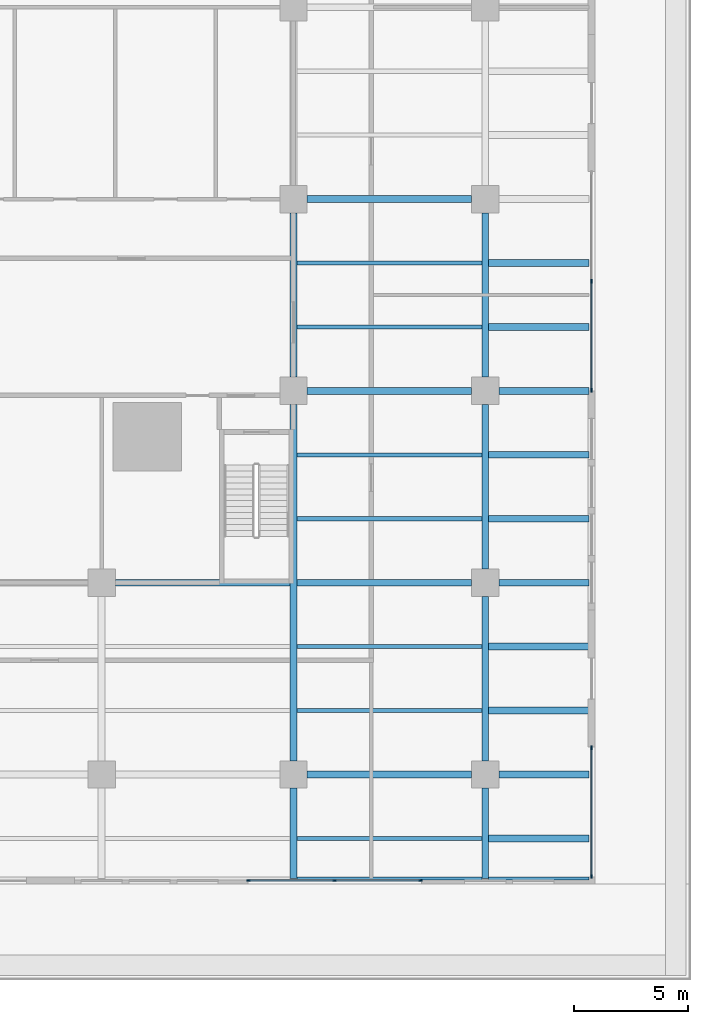
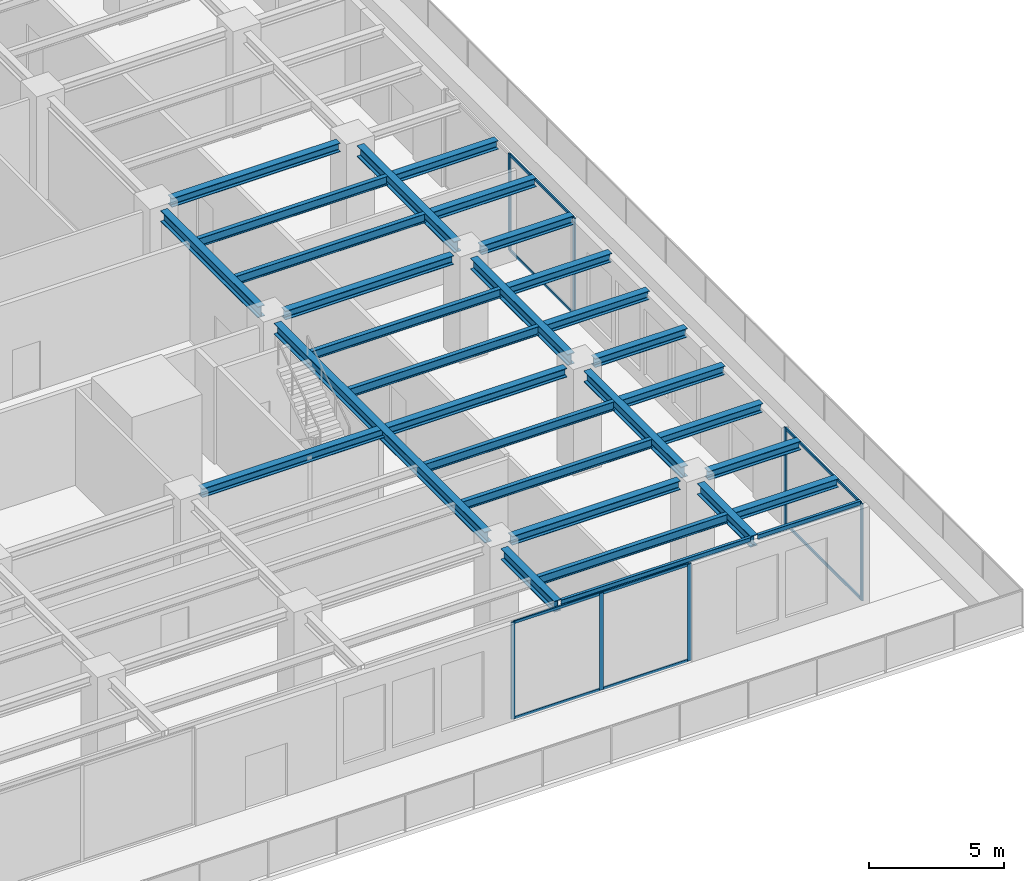
# One storey, part 7 of 32: 30 beams, 15 members, 3 elements without a shape of their own.
"""IFC4 building model written with IfcOpenShell, lengths in metres."""

from ifc_helpers import new_model, si_unit, direction, frame, origin, origin_2d, place, context, subcontext, project, spatial, rectangle, i_section, extrude, material, material_profile, profile_set, type_object, element, aggregate, save


model = new_model("IFC4")

# Units and contexts
model_context = context("Model", 3, precision=1e-05, world=origin(), true_north=direction((0.0, 1.0)))
body_context = subcontext(model_context, "Body", "Model", "MODEL_VIEW")
ifc_project = project(units=[si_unit("LENGTHUNIT", "METRE"), si_unit("AREAUNIT", "SQUARE_METRE"), si_unit("VOLUMEUNIT", "CUBIC_METRE"), si_unit("PLANEANGLEUNIT", "RADIAN"), si_unit("MASSUNIT", "GRAM", prefix="KILO")], contexts=[model_context])

# Site, building, storey
site_placement = place(None, origin())
site = spatial("IfcSite", under=ifc_project, at=site_placement, CompositionType="ELEMENT")
building_placement = place(site_placement, origin())
building = spatial("IfcBuilding", under=site, at=building_placement, Name="Khepri Terraces", CompositionType="ELEMENT")
storey_placement = place(building_placement, frame((0.0, 0.0, 12.0)))
storey = spatial("IfcBuildingStorey", under=building, at=storey_placement, Name="L02", CompositionType="ELEMENT", Elevation=12.0)

# Curtain wall, members
ifc_material_1 = material(Name="Anodised aluminium bronze curtain wall", Category="aluminium")
curtain_wall_type = type_object("IfcCurtainWallType", Name="CW-SYS2-PODIUM", PredefinedType="NOTDEFINED", material=ifc_material_1)
curtain_wall_1_placement = place(storey_placement, origin())
curtain_wall_1 = element("IfcCurtainWall", 1, at=curtain_wall_1_placement, inside=storey, type_object=curtain_wall_type, Name="Curtain wall CW2 L02 S", PredefinedType="NOTDEFINED")
ifc_material_2 = material(Name="Anodised aluminium bronze", Category="aluminium")
ifc_material_profile_1 = material_profile(ifc_material_2, rectangle(XDim=0.06005859375, YDim=0.159912109375, at=origin_2d()), Name="Anodised aluminium bronze", Category="aluminium")
ifc_profile_set_1 = profile_set([ifc_material_profile_1], Name="Anodised aluminium bronze")
member_type_1 = type_object("IfcMemberType", Name="CW-MULLION-60x160", PredefinedType="MULLION", material=ifc_profile_set_1)
member_1_placement = place(storey_placement, frame((23.22998046875, -38.25, 0.0), z_axis=(0.0, 0.0, 1.0), x_axis=(0.0, 1.0, 0.0)))
member_1 = element("IfcMember", 2, at=member_1_placement, type_object=member_type_1, Name="CW2 mullion 1", PredefinedType="MULLION", context=body_context, shape_type="SweptSolid", body=[
    extrude(rectangle(XDim=0.06005859375, YDim=0.159912109375, at=origin_2d()), origin(), (0.0, 0.0, 1.0), 4.3798828125),
])
member_2_placement = place(storey_placement, frame((27.0, -38.25, 0.0), z_axis=(0.0, 0.0, 1.0), x_axis=(0.0, 1.0, 0.0)))
member_2 = element("IfcMember", 3, at=member_2_placement, type_object=member_type_1, Name="CW2 mullion 2", PredefinedType="MULLION", context=body_context, shape_type="SweptSolid", body=[
    extrude(rectangle(XDim=0.06005859375, YDim=0.159912109375, at=origin_2d()), origin(), (0.0, 0.0, 1.0), 4.3798828125),
])
member_3_placement = place(storey_placement, frame((30.77001953125, -38.25, 0.0), z_axis=(0.0, 0.0, 1.0), x_axis=(0.0, 1.0, 0.0)))
member_3 = element("IfcMember", 4, at=member_3_placement, type_object=member_type_1, Name="CW2 mullion 3", PredefinedType="MULLION", context=body_context, shape_type="SweptSolid", body=[
    extrude(rectangle(XDim=0.06005859375, YDim=0.159912109375, at=origin_2d()), origin(), (0.0, 0.0, 1.0), 4.3798828125),
])

curtain_wall_2_placement = place(storey_placement, origin())
curtain_wall_2 = element("IfcCurtainWall", 5, at=curtain_wall_2_placement, inside=storey, type_object=curtain_wall_type, Name="Curtain wall CW2 L02 E", PredefinedType="NOTDEFINED")
member_4_placement = place(storey_placement, frame((38.25, -38.070068359375, 0.0), z_axis=(0.0, 0.0, 1.0), x_axis=(-1.0, 0.0, 0.0)))
member_4 = element("IfcMember", 6, at=member_4_placement, type_object=member_type_1, Name="CW2 mullion 1", PredefinedType="MULLION", context=body_context, shape_type="SweptSolid", body=[
    extrude(rectangle(XDim=0.06005859375, YDim=0.159912109375, at=origin_2d()), origin(), (0.0, 0.0, 1.0), 4.3798828125),
])
member_5_placement = place(storey_placement, frame((38.25, -32.429931640625, 0.0), z_axis=(0.0, 0.0, 1.0), x_axis=(-1.0, 0.0, 0.0)))
member_5 = element("IfcMember", 7, at=member_5_placement, type_object=member_type_1, Name="CW2 mullion 2", PredefinedType="MULLION", context=body_context, shape_type="SweptSolid", body=[
    extrude(rectangle(XDim=0.06005859375, YDim=0.159912109375, at=origin_2d()), origin(), (0.0, 0.0, 1.0), 4.3798828125),
])

curtain_wall_3_placement = place(storey_placement, origin())
curtain_wall_3 = element("IfcCurtainWall", 8, at=curtain_wall_3_placement, inside=storey, type_object=curtain_wall_type, Name="Curtain wall CW2 L02 E", PredefinedType="NOTDEFINED")
member_6_placement = place(storey_placement, frame((38.25, -16.77001953125, 0.0), z_axis=(0.0, 0.0, 1.0), x_axis=(-1.0, 0.0, 0.0)))
member_6 = element("IfcMember", 9, at=member_6_placement, type_object=member_type_1, Name="CW2 mullion 1", PredefinedType="MULLION", context=body_context, shape_type="SweptSolid", body=[
    extrude(rectangle(XDim=0.06005859375, YDim=0.159912109375, at=origin_2d()), origin(), (0.0, 0.0, 1.0), 4.3798828125),
])
member_7_placement = place(storey_placement, frame((38.25, -12.0, 0.0), z_axis=(0.0, 0.0, 1.0), x_axis=(-1.0, 0.0, 0.0)))
member_7 = element("IfcMember", 10, at=member_7_placement, type_object=member_type_1, Name="CW2 mullion 2", PredefinedType="MULLION", context=body_context, shape_type="SweptSolid", body=[
    extrude(rectangle(XDim=0.06005859375, YDim=0.159912109375, at=origin_2d()), origin(), (0.0, 0.0, 1.0), 4.3798828125),
])

# Member
ifc_material_profile_2 = material_profile(ifc_material_2, rectangle(XDim=0.06005859375, YDim=0.1201171875, at=origin_2d()), Name="Anodised aluminium bronze", Category="aluminium")
ifc_profile_set_2 = profile_set([ifc_material_profile_2], Name="Anodised aluminium bronze")
member_type_2 = type_object("IfcMemberType", Name="CW-TRANSOM-60x120", PredefinedType="USERDEFINED", material=ifc_profile_set_2)
member_8_placement = place(storey_placement, frame((23.260009765625, -38.25, 0.030029296875), z_axis=(1.0, 0.0, 0.0), x_axis=(0.0, 1.0, 0.0)))
member_8 = element("IfcMember", 11, at=member_8_placement, type_object=member_type_2, Name="CW2 transom 1.1", ObjectType="TRANSOM", PredefinedType="USERDEFINED", context=body_context, shape_type="SweptSolid", body=[
    extrude(rectangle(XDim=0.06005859375, YDim=0.1201171875, at=origin_2d()), origin(), (0.0, 0.0, 1.0), 3.7099609375),
])

member_9_placement = place(storey_placement, frame((23.260009765625, -38.25, 4.35009765625), z_axis=(1.0, 0.0, 0.0), x_axis=(0.0, 1.0, 0.0)))
member_9 = element("IfcMember", 12, at=member_9_placement, type_object=member_type_2, Name="CW2 transom 1.2", ObjectType="TRANSOM", PredefinedType="USERDEFINED", context=body_context, shape_type="SweptSolid", body=[
    extrude(rectangle(XDim=0.06005859375, YDim=0.1201171875, at=origin_2d()), origin(), (0.0, 0.0, 1.0), 3.7099609375),
])

member_10_placement = place(storey_placement, frame((27.030029296875, -38.25, 0.030029296875), z_axis=(1.0, 0.0, 0.0), x_axis=(0.0, 1.0, 0.0)))
member_10 = element("IfcMember", 13, at=member_10_placement, type_object=member_type_2, Name="CW2 transom 2.1", ObjectType="TRANSOM", PredefinedType="USERDEFINED", context=body_context, shape_type="SweptSolid", body=[
    extrude(rectangle(XDim=0.06005859375, YDim=0.1201171875, at=origin_2d()), origin(), (0.0, 0.0, 1.0), 3.7099609375),
])

member_11_placement = place(storey_placement, frame((27.030029296875, -38.25, 4.35009765625), z_axis=(1.0, 0.0, 0.0), x_axis=(0.0, 1.0, 0.0)))
member_11 = element("IfcMember", 14, at=member_11_placement, type_object=member_type_2, Name="CW2 transom 2.2", ObjectType="TRANSOM", PredefinedType="USERDEFINED", context=body_context, shape_type="SweptSolid", body=[
    extrude(rectangle(XDim=0.06005859375, YDim=0.1201171875, at=origin_2d()), origin(), (0.0, 0.0, 1.0), 3.7099609375),
])

aggregate(curtain_wall_1, [member_1, member_2, member_3, member_8, member_9, member_10, member_11])

member_12_placement = place(storey_placement, frame((38.25, -38.0400390625, 0.030029296875), z_axis=(0.0, 1.0, 0.0), x_axis=(-1.0, 0.0, 0.0)))
member_12 = element("IfcMember", 15, at=member_12_placement, type_object=member_type_2, Name="CW2 transom 1.1", ObjectType="TRANSOM", PredefinedType="USERDEFINED", context=body_context, shape_type="SweptSolid", body=[
    extrude(rectangle(XDim=0.06005859375, YDim=0.1201171875, at=origin_2d()), origin(), (0.0, 0.0, 1.0), 5.580078125),
])

member_13_placement = place(storey_placement, frame((38.25, -38.0400390625, 4.35009765625), z_axis=(0.0, 1.0, 0.0), x_axis=(-1.0, 0.0, 0.0)))
member_13 = element("IfcMember", 16, at=member_13_placement, type_object=member_type_2, Name="CW2 transom 1.2", ObjectType="TRANSOM", PredefinedType="USERDEFINED", context=body_context, shape_type="SweptSolid", body=[
    extrude(rectangle(XDim=0.06005859375, YDim=0.1201171875, at=origin_2d()), origin(), (0.0, 0.0, 1.0), 5.580078125),
])

aggregate(curtain_wall_2, [member_4, member_5, member_12, member_13])

member_14_placement = place(storey_placement, frame((38.25, -16.739990234375, 0.030029296875), z_axis=(0.0, 1.0, 0.0), x_axis=(-1.0, 0.0, 0.0)))
member_14 = element("IfcMember", 17, at=member_14_placement, type_object=member_type_2, Name="CW2 transom 1.1", ObjectType="TRANSOM", PredefinedType="USERDEFINED", context=body_context, shape_type="SweptSolid", body=[
    extrude(rectangle(XDim=0.06005859375, YDim=0.1201171875, at=origin_2d()), origin(), (0.0, 0.0, 1.0), 4.7099609375),
])

member_15_placement = place(storey_placement, frame((38.25, -16.739990234375, 4.35009765625), z_axis=(0.0, 1.0, 0.0), x_axis=(-1.0, 0.0, 0.0)))
member_15 = element("IfcMember", 18, at=member_15_placement, type_object=member_type_2, Name="CW2 transom 1.2", ObjectType="TRANSOM", PredefinedType="USERDEFINED", context=body_context, shape_type="SweptSolid", body=[
    extrude(rectangle(XDim=0.06005859375, YDim=0.1201171875, at=origin_2d()), origin(), (0.0, 0.0, 1.0), 4.7099609375),
])

aggregate(curtain_wall_3, [member_6, member_7, member_14, member_15])

# Beams
ifc_material_3 = material(Name="Steel S355", Category="steel")
ifc_material_profile_3 = material_profile(ifc_material_3, i_section(OverallWidth=0.1201171875, OverallDepth=0.239990234375, WebThickness=0.006103515625, FlangeThickness=0.009765625, FilletRadius=0.014892578125, at=origin_2d()), Name="Steel S355", Category="steel")
ifc_profile_set_3 = profile_set([ifc_material_profile_3], Name="Steel S355")
beam_type_1 = type_object("IfcBeamType", Name="Podium cantilever edge beam L03 IPE 240", PredefinedType="SPANDREL", material=ifc_profile_set_3)
beam_1_placement = place(storey_placement, frame((33.75, -38.14990234375, 4.47998046875), z_axis=(1.0, 0.0, 0.0), x_axis=(0.0, 1.0, 0.0)))
element("IfcBeam", 19, at=beam_1_placement, inside=storey, type_object=beam_type_1, Name="Podium edge beam L03 010", PredefinedType="SPANDREL", context=body_context, shape_type="SweptSolid", body=[
    extrude(i_section(OverallWidth=0.1201171875, OverallDepth=0.239990234375, WebThickness=0.006103515625, FlangeThickness=0.009765625, FilletRadius=0.014892578125, at=origin_2d()), origin(), (0.0, 0.0, 1.0), 4.39990234375),
])
ifc_material_profile_4 = material_profile(ifc_material_3, i_section(OverallWidth=0.300048828125, OverallDepth=0.5, WebThickness=0.014404296875, FlangeThickness=0.028076171875, FilletRadius=0.027099609375, at=origin_2d()), Name="Steel S355", Category="steel")
ifc_profile_set_4 = profile_set([ifc_material_profile_4], Name="Steel S355")
beam_type_2 = type_object("IfcBeamType", Name="Podium cantilever girder L03 HEB 500", PredefinedType="BEAM", material=ifc_profile_set_4)
for number, where, z_axis, x_axis, name in (
    (20, (25.199951171875, -38.14990234375, 4.35009765625), (0.0, 1.0, 0.0), (-1.0, 0.0, 0.0), "Podium girder L03 039"),
    (21, (33.60009765625, -38.14990234375, 4.35009765625), (0.0, 1.0, 0.0), (-1.0, 0.0, 0.0), "Podium girder L03 047"),
):
    element("IfcBeam", number, at=place(storey_placement, frame(where, z_axis=z_axis, x_axis=x_axis)), inside=storey, type_object=beam_type_2, Name=name, PredefinedType="BEAM", context=body_context, shape_type="SweptSolid", body=[
        extrude(i_section(OverallWidth=0.300048828125, OverallDepth=0.5, WebThickness=0.014404296875, FlangeThickness=0.028076171875, FilletRadius=0.027099609375, at=origin_2d()), origin(), (0.0, 0.0, 1.0), 3.949951171875),
    ])
ifc_material_profile_5 = material_profile(ifc_material_3, i_section(OverallWidth=0.300048828125, OverallDepth=0.389892578125, WebThickness=0.010986328125, FlangeThickness=0.01904296875, FilletRadius=0.027099609375, at=origin_2d()), Name="Steel S355", Category="steel")
ifc_profile_set_5 = profile_set([ifc_material_profile_5], Name="Steel S355")
beam_type_3 = type_object("IfcBeamType", Name="Podium cantilever joist L03 HEA 400", PredefinedType="JOIST", material=ifc_profile_set_5)
for number, where, z_axis, x_axis, name in (
    (22, (33.75, -36.39990234375, 4.405029296875), (1.0, 0.0, 0.0), (0.0, 1.0, 0.0), "Podium cantilever joist L03 010"),
    (23, (33.75, -30.800048828125, 4.405029296875), (1.0, 0.0, 0.0), (0.0, 1.0, 0.0), "Podium cantilever joist L03 030"),
    (24, (33.75, -28.0, 4.405029296875), (1.0, 0.0, 0.0), (0.0, 1.0, 0.0), "Podium cantilever joist L03 040"),
    (25, (33.75, -22.39990234375, 4.405029296875), (1.0, 0.0, 0.0), (0.0, 1.0, 0.0), "Podium cantilever joist L03 052"),
    (26, (33.75, -19.60009765625, 4.405029296875), (1.0, 0.0, 0.0), (0.0, 1.0, 0.0), "Podium cantilever joist L03 056"),
    (27, (33.75, -14.0, 4.405029296875), (1.0, 0.0, 0.0), (0.0, 1.0, 0.0), "Podium cantilever joist L03 064"),
    (28, (33.75, -11.199951171875, 4.405029296875), (1.0, 0.0, 0.0), (0.0, 1.0, 0.0), "Podium cantilever joist L03 068"),
):
    element("IfcBeam", number, at=place(storey_placement, frame(where, z_axis=z_axis, x_axis=x_axis)), inside=storey, type_object=beam_type_3, Name=name, PredefinedType="JOIST", context=body_context, shape_type="SweptSolid", body=[
        extrude(i_section(OverallWidth=0.300048828125, OverallDepth=0.389892578125, WebThickness=0.010986328125, FlangeThickness=0.01904296875, FilletRadius=0.027099609375, at=origin_2d()), origin(), (0.0, 0.0, 1.0), 4.39990234375),
    ])
ifc_material_profile_6 = material_profile(ifc_material_3, i_section(OverallWidth=0.1201171875, OverallDepth=0.239990234375, WebThickness=0.006103515625, FlangeThickness=0.009765625, FilletRadius=0.014892578125, at=origin_2d()), Name="Steel S355", Category="steel")
ifc_profile_set_6 = profile_set([ifc_material_profile_6], Name="Steel S355")
beam_type_4 = type_object("IfcBeamType", Name="Podium edge beam L03 IPE 240", PredefinedType="SPANDREL", material=ifc_profile_set_6)
beam_2_placement = place(storey_placement, frame((25.35009765625, -38.14990234375, 4.47998046875), z_axis=(1.0, 0.0, 0.0), x_axis=(0.0, 1.0, 0.0)))
element("IfcBeam", 29, at=beam_2_placement, inside=storey, type_object=beam_type_4, Name="Podium edge beam L03 009", PredefinedType="SPANDREL", context=body_context, shape_type="SweptSolid", body=[
    extrude(i_section(OverallWidth=0.1201171875, OverallDepth=0.239990234375, WebThickness=0.006103515625, FlangeThickness=0.009765625, FilletRadius=0.014892578125, at=origin_2d()), origin(), (0.0, 0.0, 1.0), 8.099853515625),
])
ifc_material_profile_7 = material_profile(ifc_material_3, i_section(OverallWidth=0.300048828125, OverallDepth=0.5, WebThickness=0.014404296875, FlangeThickness=0.028076171875, FilletRadius=0.027099609375, at=origin_2d()), Name="Steel S355", Category="steel")
ifc_profile_set_7 = profile_set([ifc_material_profile_7], Name="Steel S355")
beam_type_5 = type_object("IfcBeamType", Name="Podium girder L03 HEB 500", PredefinedType="BEAM", material=ifc_profile_set_7)
beam_3_placement = place(storey_placement, frame((25.199951171875, -33.0, 4.35009765625), z_axis=(0.0, 1.0, 0.0), x_axis=(-1.0, 0.0, 0.0)))
element("IfcBeam", 30, at=beam_3_placement, inside=storey, type_object=beam_type_5, Name="Podium girder L03 040", PredefinedType="BEAM", context=body_context, shape_type="SweptSolid", body=[
    extrude(i_section(OverallWidth=0.300048828125, OverallDepth=0.5, WebThickness=0.014404296875, FlangeThickness=0.028076171875, FilletRadius=0.027099609375, at=origin_2d()), origin(), (0.0, 0.0, 1.0), 15.60009765625),
])
beam_4_placement = place(storey_placement, frame((33.60009765625, -33.0, 4.35009765625), z_axis=(0.0, 1.0, 0.0), x_axis=(-1.0, 0.0, 0.0)))
element("IfcBeam", 31, at=beam_4_placement, inside=storey, type_object=beam_type_5, Name="Podium girder L03 048", PredefinedType="BEAM", context=body_context, shape_type="SweptSolid", body=[
    extrude(i_section(OverallWidth=0.300048828125, OverallDepth=0.5, WebThickness=0.014404296875, FlangeThickness=0.028076171875, FilletRadius=0.027099609375, at=origin_2d()), origin(), (0.0, 0.0, 1.0), 7.199951171875),
])
beam_5_placement = place(storey_placement, frame((33.60009765625, -24.60009765625, 4.35009765625), z_axis=(0.0, 1.0, 0.0), x_axis=(-1.0, 0.0, 0.0)))
element("IfcBeam", 32, at=beam_5_placement, inside=storey, type_object=beam_type_5, Name="Podium girder L03 049", PredefinedType="BEAM", context=body_context, shape_type="SweptSolid", body=[
    extrude(i_section(OverallWidth=0.300048828125, OverallDepth=0.5, WebThickness=0.014404296875, FlangeThickness=0.028076171875, FilletRadius=0.027099609375, at=origin_2d()), origin(), (0.0, 0.0, 1.0), 7.2001953125),
])
beam_6_placement = place(storey_placement, frame((33.60009765625, -16.199951171875, 4.35009765625), z_axis=(0.0, 1.0, 0.0), x_axis=(-1.0, 0.0, 0.0)))
element("IfcBeam", 33, at=beam_6_placement, inside=storey, type_object=beam_type_5, Name="Podium girder L03 050", PredefinedType="BEAM", context=body_context, shape_type="SweptSolid", body=[
    extrude(i_section(OverallWidth=0.300048828125, OverallDepth=0.5, WebThickness=0.014404296875, FlangeThickness=0.028076171875, FilletRadius=0.027099609375, at=origin_2d()), origin(), (0.0, 0.0, 1.0), 7.199951171875),
])
ifc_material_profile_8 = material_profile(ifc_material_3, i_section(OverallWidth=0.300048828125, OverallDepth=0.39990234375, WebThickness=0.013427734375, FlangeThickness=0.02392578125, FilletRadius=0.027099609375, at=origin_2d()), Name="Steel S355", Category="steel")
ifc_profile_set_8 = profile_set([ifc_material_profile_8], Name="Steel S355")
beam_type_6 = type_object("IfcBeamType", Name="Podium girder L03 grid line HEB 400", PredefinedType="BEAM", material=ifc_profile_set_8)
beam_7_placement = place(storey_placement, frame((25.800048828125, -33.60009765625, 4.39990234375), z_axis=(1.0, 0.0, 0.0), x_axis=(0.0, 1.0, 0.0)))
element("IfcBeam", 34, at=beam_7_placement, inside=storey, type_object=beam_type_6, Name="Podium grid-line girder L03 019", PredefinedType="BEAM", context=body_context, shape_type="SweptSolid", body=[
    extrude(i_section(OverallWidth=0.300048828125, OverallDepth=0.39990234375, WebThickness=0.013427734375, FlangeThickness=0.02392578125, FilletRadius=0.027099609375, at=origin_2d()), origin(), (0.0, 0.0, 1.0), 7.199951171875),
])
beam_8_placement = place(storey_placement, frame((34.199951171875, -33.60009765625, 4.39990234375), z_axis=(1.0, 0.0, 0.0), x_axis=(0.0, 1.0, 0.0)))
element("IfcBeam", 35, at=beam_8_placement, inside=storey, type_object=beam_type_6, Name="Podium grid-line girder L03 020", PredefinedType="BEAM", context=body_context, shape_type="SweptSolid", body=[
    extrude(i_section(OverallWidth=0.300048828125, OverallDepth=0.39990234375, WebThickness=0.013427734375, FlangeThickness=0.02392578125, FilletRadius=0.027099609375, at=origin_2d()), origin(), (0.0, 0.0, 1.0), 3.949951171875),
])
beam_9_placement = place(storey_placement, frame((17.39990234375, -25.199951171875, 4.39990234375), z_axis=(1.0, 0.0, 0.0), x_axis=(0.0, 1.0, 0.0)))
element("IfcBeam", 36, at=beam_9_placement, inside=storey, type_object=beam_type_6, Name="Podium grid-line girder L03 047", PredefinedType="BEAM", context=body_context, shape_type="SweptSolid", body=[
    extrude(i_section(OverallWidth=0.300048828125, OverallDepth=0.39990234375, WebThickness=0.013427734375, FlangeThickness=0.02392578125, FilletRadius=0.027099609375, at=origin_2d()), origin(), (0.0, 0.0, 1.0), 15.60009765625),
])
beam_10_placement = place(storey_placement, frame((34.199951171875, -25.199951171875, 4.39990234375), z_axis=(1.0, 0.0, 0.0), x_axis=(0.0, 1.0, 0.0)))
element("IfcBeam", 37, at=beam_10_placement, inside=storey, type_object=beam_type_6, Name="Podium grid-line girder L03 048", PredefinedType="BEAM", context=body_context, shape_type="SweptSolid", body=[
    extrude(i_section(OverallWidth=0.300048828125, OverallDepth=0.39990234375, WebThickness=0.013427734375, FlangeThickness=0.02392578125, FilletRadius=0.027099609375, at=origin_2d()), origin(), (0.0, 0.0, 1.0), 3.949951171875),
])
beam_11_placement = place(storey_placement, frame((25.800048828125, -16.800048828125, 4.39990234375), z_axis=(1.0, 0.0, 0.0), x_axis=(0.0, 1.0, 0.0)))
element("IfcBeam", 38, at=beam_11_placement, inside=storey, type_object=beam_type_6, Name="Podium grid-line girder L03 059", PredefinedType="BEAM", context=body_context, shape_type="SweptSolid", body=[
    extrude(i_section(OverallWidth=0.300048828125, OverallDepth=0.39990234375, WebThickness=0.013427734375, FlangeThickness=0.02392578125, FilletRadius=0.027099609375, at=origin_2d()), origin(), (0.0, 0.0, 1.0), 7.199951171875),
])
beam_12_placement = place(storey_placement, frame((34.199951171875, -16.800048828125, 4.39990234375), z_axis=(1.0, 0.0, 0.0), x_axis=(0.0, 1.0, 0.0)))
element("IfcBeam", 39, at=beam_12_placement, inside=storey, type_object=beam_type_6, Name="Podium grid-line girder L03 060", PredefinedType="BEAM", context=body_context, shape_type="SweptSolid", body=[
    extrude(i_section(OverallWidth=0.300048828125, OverallDepth=0.39990234375, WebThickness=0.013427734375, FlangeThickness=0.02392578125, FilletRadius=0.027099609375, at=origin_2d()), origin(), (0.0, 0.0, 1.0), 3.949951171875),
])
beam_13_placement = place(storey_placement, frame((25.800048828125, -8.39990234375, 4.39990234375), z_axis=(1.0, 0.0, 0.0), x_axis=(0.0, 1.0, 0.0)))
element("IfcBeam", 40, at=beam_13_placement, inside=storey, type_object=beam_type_6, Name="Podium grid-line girder L03 071", PredefinedType="BEAM", context=body_context, shape_type="SweptSolid", body=[
    extrude(i_section(OverallWidth=0.300048828125, OverallDepth=0.39990234375, WebThickness=0.013427734375, FlangeThickness=0.02392578125, FilletRadius=0.027099609375, at=origin_2d()), origin(), (0.0, 0.0, 1.0), 7.199951171875),
])
ifc_material_profile_9 = material_profile(ifc_material_3, i_section(OverallWidth=0.179931640625, OverallDepth=0.39990234375, WebThickness=0.008544921875, FlangeThickness=0.013427734375, FilletRadius=0.02099609375, at=origin_2d()), Name="Steel S355", Category="steel")
ifc_profile_set_9 = profile_set([ifc_material_profile_9], Name="Steel S355")
beam_type_7 = type_object("IfcBeamType", Name="Podium joist L03 IPE 400", PredefinedType="JOIST", material=ifc_profile_set_9)
for number, where, z_axis, x_axis, name in (
    (41, (25.35009765625, -36.39990234375, 4.39990234375), (1.0, 0.0, 0.0), (0.0, 1.0, 0.0), "Podium joist L03 009"),
    (42, (25.35009765625, -30.800048828125, 4.39990234375), (1.0, 0.0, 0.0), (0.0, 1.0, 0.0), "Podium joist L03 029"),
    (43, (25.35009765625, -28.0, 4.39990234375), (1.0, 0.0, 0.0), (0.0, 1.0, 0.0), "Podium joist L03 039"),
    (44, (25.35009765625, -22.39990234375, 4.39990234375), (1.0, 0.0, 0.0), (0.0, 1.0, 0.0), "Podium joist L03 051"),
    (45, (25.35009765625, -19.60009765625, 4.39990234375), (1.0, 0.0, 0.0), (0.0, 1.0, 0.0), "Podium joist L03 055"),
    (46, (25.35009765625, -14.0, 4.39990234375), (1.0, 0.0, 0.0), (0.0, 1.0, 0.0), "Podium joist L03 063"),
    (47, (25.35009765625, -11.199951171875, 4.39990234375), (1.0, 0.0, 0.0), (0.0, 1.0, 0.0), "Podium joist L03 067"),
):
    element("IfcBeam", number, at=place(storey_placement, frame(where, z_axis=z_axis, x_axis=x_axis)), inside=storey, type_object=beam_type_7, Name=name, PredefinedType="JOIST", context=body_context, shape_type="SweptSolid", body=[
        extrude(i_section(OverallWidth=0.179931640625, OverallDepth=0.39990234375, WebThickness=0.008544921875, FlangeThickness=0.013427734375, FilletRadius=0.02099609375, at=origin_2d()), origin(), (0.0, 0.0, 1.0), 8.099853515625),
    ])
ifc_material_profile_10 = material_profile(ifc_material_3, i_section(OverallWidth=0.300048828125, OverallDepth=0.5, WebThickness=0.014404296875, FlangeThickness=0.028076171875, FilletRadius=0.027099609375, at=origin_2d()), Name="Steel S355", Category="steel")
ifc_profile_set_10 = profile_set([ifc_material_profile_10], Name="Steel S355")
beam_type_8 = type_object("IfcBeamType", Name="Tower ring beam HEB 500", PredefinedType="BEAM", material=ifc_profile_set_10)
beam_14_placement = place(storey_placement, frame((25.199951171875, -16.199951171875, 4.35009765625), z_axis=(0.0, 1.0, 0.0), x_axis=(-1.0, 0.0, 0.0)))
element("IfcBeam", 48, at=beam_14_placement, inside=storey, type_object=beam_type_8, Name="Ring beam L03 041", PredefinedType="BEAM", context=body_context, shape_type="SweptSolid", body=[
    extrude(i_section(OverallWidth=0.300048828125, OverallDepth=0.5, WebThickness=0.014404296875, FlangeThickness=0.028076171875, FilletRadius=0.027099609375, at=origin_2d()), origin(), (0.0, 0.0, 1.0), 7.199951171875),
])

save(model, "model.ifc")
